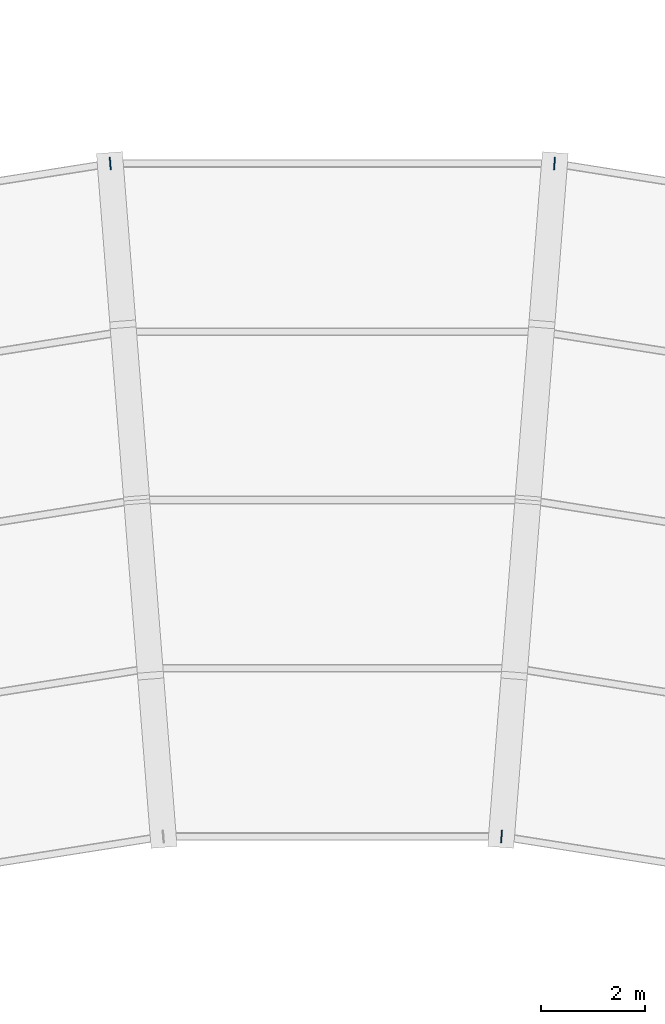
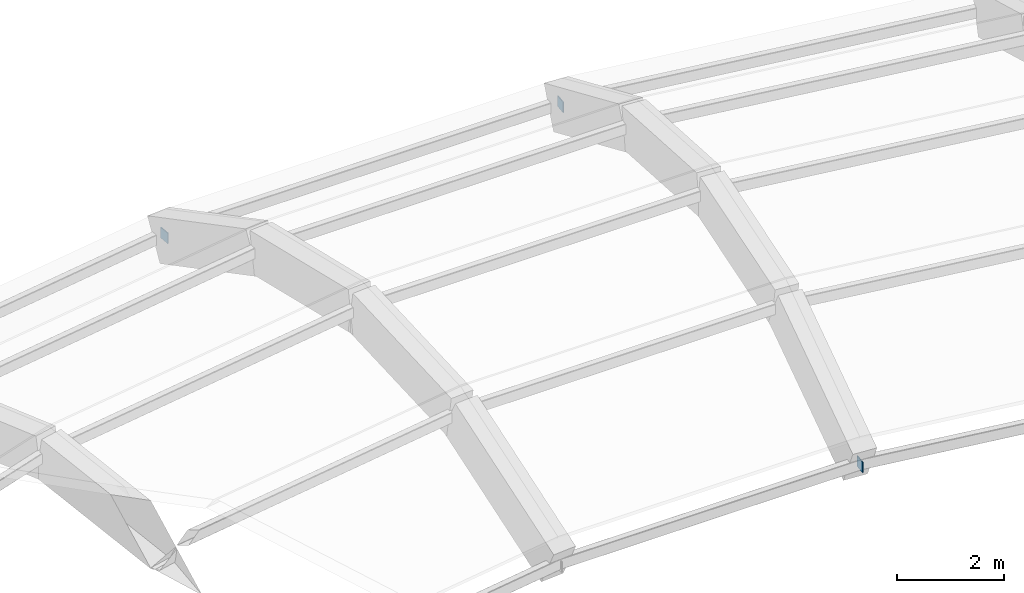
# One storey, part 11 of 18: 3 plates.
"""IFC4 building model written with IfcOpenShell, lengths in metres."""

from ifc_helpers import new_model, si_unit, direction, frame, origin, origin_2d, place, context, subcontext, project, spatial, rectangle, extrude, material, layer, layer_set, type_object, element, save


model = new_model("IFC4")

# Units and contexts
model_context = context("Model", 3, precision=1e-05, world=origin(), true_north=direction((0.0, 1.0)))
body_context = subcontext(model_context, "Body", "Model", "MODEL_VIEW")
ifc_project = project(units=[si_unit("LENGTHUNIT", "METRE"), si_unit("AREAUNIT", "SQUARE_METRE"), si_unit("VOLUMEUNIT", "CUBIC_METRE"), si_unit("PLANEANGLEUNIT", "RADIAN"), si_unit("MASSUNIT", "GRAM", prefix="KILO")], contexts=[model_context])

# Site, building, storey
site_placement = place(None, origin())
site = spatial("IfcSite", under=ifc_project, at=site_placement, CompositionType="ELEMENT")
building_placement = place(site_placement, origin())
building = spatial("IfcBuilding", under=site, at=building_placement, Name="Miralva Faculty of Natural Sciences", CompositionType="ELEMENT")
storey_placement = place(building_placement, frame((0.0, 0.0, 28.5)))
storey = spatial("IfcBuildingStorey", under=building, at=storey_placement, Name="L06", CompositionType="ELEMENT", Elevation=28.5)

# Plates
ifc_material = material(Name="Steel S355", Category="steel")
ifc_layer = layer(ifc_material, 0.02490234375, Name="PLT-BP02")
ifc_layer_set = layer_set([ifc_layer], Name="Steel S355")
plate_type = type_object("IfcPlateType", Name="PLT-BP02", PredefinedType="SHEET", material=ifc_layer_set)
for number, where, z_axis, x_axis, name in (
    (1, (85.72412109375, 33.33203125, 1.06494140625), (0.0, 0.0, 1.0), (-0.078459095728, 0.996917333733, 0.0), "Shell truss diagonal gusset plate 04-4"),
    (2, (93.256103515625, 20.3720703125, 1.06494140625), (0.0, 0.0, 1.0), (0.078459095728, 0.996917333733, 0.0), "Shell truss diagonal gusset plate 05-2"),
    (3, (94.27587890625, 33.33203125, 1.06494140625), (0.0, 0.0, 1.0), (0.078459095728, 0.996917333733, 0.0), "Shell truss diagonal gusset plate 05-4"),
):
    element("IfcPlate", number, at=place(storey_placement, frame(where, z_axis=z_axis, x_axis=x_axis)), inside=storey, type_object=plate_type, Name=name, PredefinedType="SHEET", context=body_context, shape_type="SweptSolid", body=[
        extrude(rectangle(XDim=0.239990234375, YDim=0.02001953125, at=origin_2d()), origin(), (0.0, 0.0, 1.0), 0.239990234375),
    ])

save(model, "model.ifc")
